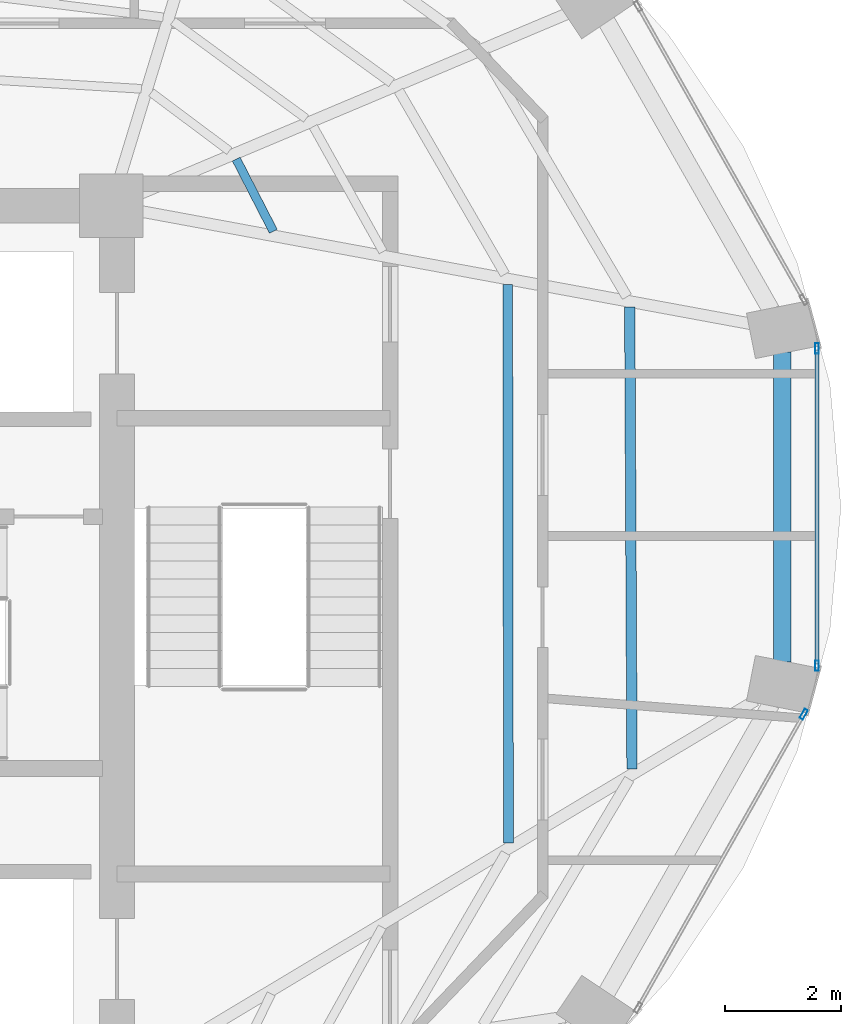
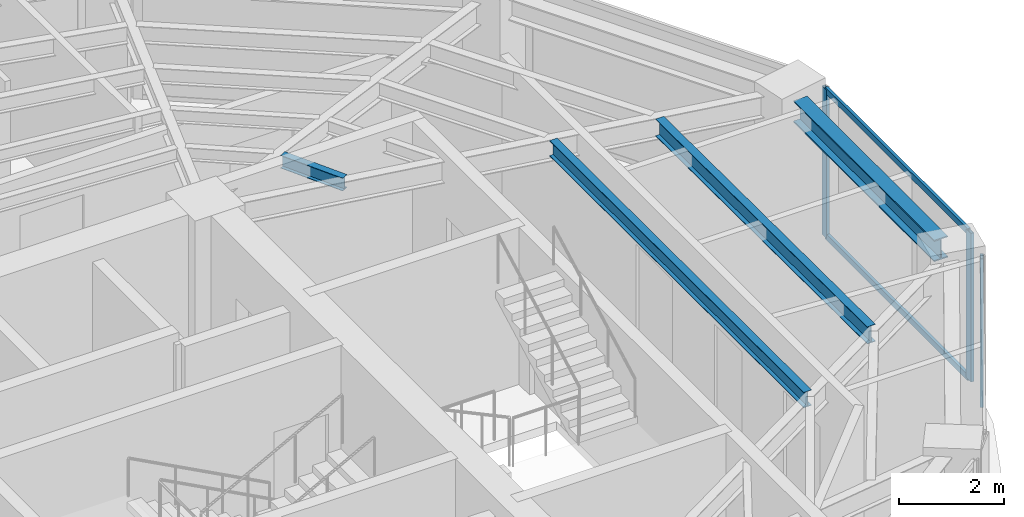
# One storey, part 14 of 23: 5 members, 4 beams, 2 elements without a shape of their own.
"""IFC4 building model written with IfcOpenShell, lengths in metres."""

from ifc_helpers import new_model, si_unit, direction, frame, origin, origin_2d, place, context, subcontext, project, spatial, hollow_rectangle, i_section, extrude, material, layer, layer_set, material_profile, profile_set, type_object, element, aggregate, save


model = new_model("IFC4")

# Units and contexts
model_context = context("Model", 3, precision=1e-05, world=origin(), true_north=direction((0.0, 1.0)))
body_context = subcontext(model_context, "Body", "Model", "MODEL_VIEW")
ifc_project = project(units=[si_unit("LENGTHUNIT", "METRE"), si_unit("AREAUNIT", "SQUARE_METRE"), si_unit("VOLUMEUNIT", "CUBIC_METRE"), si_unit("PLANEANGLEUNIT", "RADIAN"), si_unit("MASSUNIT", "GRAM", prefix="KILO")], contexts=[model_context])

# Site, building, storey
site_placement = place(None, origin())
site = spatial("IfcSite", under=ifc_project, at=site_placement, CompositionType="ELEMENT")
building_placement = place(site_placement, origin())
building = spatial("IfcBuilding", under=site, at=building_placement, Name="Lazwardi Medical Tower", CompositionType="ELEMENT")
storey_placement = place(building_placement, frame((0.0, 0.0, 198.47998046875)))
storey = spatial("IfcBuildingStorey", under=building, at=storey_placement, Name="L51", CompositionType="ELEMENT", Elevation=198.47998046875)

# Beams
ifc_material_1 = material(Name="Steel S355", Category="steel")
ifc_material_profile_1 = material_profile(ifc_material_1, i_section(OverallWidth=0.300048828125, OverallDepth=0.5, WebThickness=0.014404296875, FlangeThickness=0.028076171875, at=origin_2d()), Name="HEB 500")
ifc_profile_set_1 = profile_set([ifc_material_profile_1], Name="Steel S355")
beam_type_1 = type_object("IfcBeamType", Name="BM-RB-Z4", PredefinedType="BEAM", material=ifc_profile_set_1)
beam_1_placement = place(storey_placement, frame((57.18505859375, 27.72705078125, 3.197998046875), z_axis=(0.0, 1.0, 0.0), x_axis=(-1.0, 0.0, 0.0)))
element("IfcBeam", 1, at=beam_1_placement, inside=storey, type_object=beam_type_1, Name="Ring beam RB-05 B04 L51", PredefinedType="BEAM", context=body_context, shape_type="SweptSolid", body=[
    extrude(i_section(OverallWidth=0.300048828125, OverallDepth=0.5, WebThickness=0.014404296875, FlangeThickness=0.028076171875, at=origin_2d()), origin(), (0.0, 0.0, 1.0), 5.345947265625),
])
ifc_material_profile_2 = material_profile(ifc_material_1, i_section(OverallWidth=0.179931640625, OverallDepth=0.39990234375, WebThickness=0.008544921875, FlangeThickness=0.013427734375, at=origin_2d()), Name="IPE 400")
ifc_profile_set_2 = profile_set([ifc_material_profile_2], Name="Steel S355")
beam_type_2 = type_object("IfcBeamType", Name="BM-SJ-01", PredefinedType="JOIST", material=ifc_profile_set_2)
beam_2_placement = place(storey_placement, frame((54.592041015625, 25.879638671875, 3.248046875), z_axis=(-0.004929366644, 0.999987850598, 0.0), x_axis=(-0.999987850598, -0.004929366644, 0.0)))
element("IfcBeam", 2, at=beam_2_placement, inside=storey, type_object=beam_type_2, Name="Secondary joist SJ-01 R1 B04 L51", PredefinedType="JOIST", context=body_context, shape_type="SweptSolid", body=[
    extrude(i_section(OverallWidth=0.179931640625, OverallDepth=0.39990234375, WebThickness=0.008544921875, FlangeThickness=0.013427734375, at=origin_2d()), origin(), (0.0, 0.0, 1.0), 7.973876953125),
])
ifc_material_profile_3 = material_profile(ifc_material_1, i_section(OverallWidth=0.169921875, OverallDepth=0.360107421875, WebThickness=0.008056640625, FlangeThickness=0.0126953125, at=origin_2d()), Name="IPE 360")
ifc_profile_set_3 = profile_set([ifc_material_profile_3], Name="Steel S355")
beam_type_3 = type_object("IfcBeamType", Name="BM-SJ-02", PredefinedType="JOIST", material=ifc_profile_set_3)
beam_3_placement = place(storey_placement, frame((52.458984375, 24.602294921875, 3.26806640625), z_axis=(-0.001367606673, 0.999999064826, 0.0), x_axis=(-0.999999064826, -0.001367606673, 0.0)))
element("IfcBeam", 3, at=beam_3_placement, inside=storey, type_object=beam_type_3, Name="Secondary joist SJ-02 R2 B04 L51", PredefinedType="JOIST", context=body_context, shape_type="SweptSolid", body=[
    extrude(i_section(OverallWidth=0.169921875, OverallDepth=0.360107421875, WebThickness=0.008056640625, FlangeThickness=0.0126953125, at=origin_2d()), origin(), (0.0, 0.0, 1.0), 9.639892578125),
])
ifc_material_profile_4 = material_profile(ifc_material_1, i_section(OverallWidth=0.14990234375, OverallDepth=0.300048828125, WebThickness=0.007080078125, FlangeThickness=0.0107421875, at=origin_2d()), Name="IPE 300")
ifc_profile_set_4 = profile_set([ifc_material_profile_4], Name="Steel S355")
beam_type_4 = type_object("IfcBeamType", Name="BM-SJ-03", PredefinedType="JOIST", material=ifc_profile_set_4)
beam_4_placement = place(storey_placement, frame((48.39990234375, 35.159912109375, 3.298095703125), z_axis=(-0.457285056668, 0.889320176848, 0.0), x_axis=(-0.889320176848, -0.457285056668, 0.0)))
element("IfcBeam", 4, at=beam_4_placement, inside=storey, type_object=beam_type_4, Name="Secondary joist SJ-03 R4 B05 L51", PredefinedType="JOIST", context=body_context, shape_type="SweptSolid", body=[
    extrude(i_section(OverallWidth=0.14990234375, OverallDepth=0.300048828125, WebThickness=0.007080078125, FlangeThickness=0.0107421875, at=origin_2d()), origin(), (0.0, 0.0, 1.0), 1.402099609375),
])

# Curtain wall, member
ifc_material_2 = material(Name="Anodised bronze aluminium and solar control glazing", Category="aluminium")
ifc_layer = layer(ifc_material_2, 0.18994140625)
ifc_layer_set = layer_set([ifc_layer], Name="Anodised bronze aluminium and solar control glazing")
curtain_wall_type = type_object("IfcCurtainWallType", Name="CW-SYS-04", PredefinedType="NOTDEFINED", material=ifc_layer_set)
curtain_wall_1_placement = place(storey_placement, origin())
curtain_wall_1 = element("IfcCurtainWall", 5, at=curtain_wall_1_placement, inside=storey, type_object=curtain_wall_type, Name="L51 Unitised bronze curtain wall CW-04", PredefinedType="NOTDEFINED")
ifc_material_3 = material(Name="Anodised bronze aluminium", Category="aluminium")
ifc_material_profile_5 = material_profile(ifc_material_3, hollow_rectangle(XDim=0.06494140625, YDim=0.179931640625, WallThickness=0.00390625, at=origin_2d()), Name="ALU-MULLION 180x65x4")
ifc_profile_set_5 = profile_set([ifc_material_profile_5], Name="Anodised bronze aluminium")
member_type_1 = type_object("IfcMemberType", Name="CW-MUL-03", PredefinedType="MULLION", material=ifc_profile_set_5)
member_1_placement = place(storey_placement, frame((57.557373046875, 26.82177734375, 0.0), z_axis=(0.0, 0.0, 1.0), x_axis=(-0.870651436011, 0.491900474661, 0.0)))
member_1 = element("IfcMember", 6, at=member_1_placement, type_object=member_type_1, Name="CW-04 mullion 2", PredefinedType="MULLION", context=body_context, shape_type="SweptSolid", body=[
    extrude(hollow_rectangle(XDim=0.06494140625, YDim=0.179931640625, WallThickness=0.00390625, at=origin_2d()), origin(), (0.0, 0.0, 1.0), 3.447998046875),
])
aggregate(curtain_wall_1, [member_1])

# Curtain wall, members
curtain_wall_2_placement = place(storey_placement, origin())
curtain_wall_2 = element("IfcCurtainWall", 7, at=curtain_wall_2_placement, inside=storey, type_object=curtain_wall_type, Name="L51 Unitised bronze curtain wall CW-04", PredefinedType="NOTDEFINED")
member_2_placement = place(storey_placement, frame((57.7841796875, 27.659423828125, 0.0), z_axis=(0.0, 0.0, 1.0), x_axis=(-1.0, 0.0, 0.0)))
member_2 = element("IfcMember", 8, at=member_2_placement, type_object=member_type_1, Name="CW-04 mullion 1", PredefinedType="MULLION", context=body_context, shape_type="SweptSolid", body=[
    extrude(hollow_rectangle(XDim=0.06494140625, YDim=0.179931640625, WallThickness=0.00390625, at=origin_2d()), origin(), (0.0, 0.0, 1.0), 3.447998046875),
])
member_3_placement = place(storey_placement, frame((57.7841796875, 33.140380859375, 0.0), z_axis=(0.0, 0.0, 1.0), x_axis=(-1.0, 0.0, 0.0)))
member_3 = element("IfcMember", 9, at=member_3_placement, type_object=member_type_1, Name="CW-04 mullion 2", PredefinedType="MULLION", context=body_context, shape_type="SweptSolid", body=[
    extrude(hollow_rectangle(XDim=0.06494140625, YDim=0.179931640625, WallThickness=0.00390625, at=origin_2d()), origin(), (0.0, 0.0, 1.0), 3.447998046875),
])
ifc_material_profile_6 = material_profile(ifc_material_3, hollow_rectangle(XDim=0.06494140625, YDim=0.139892578125, WallThickness=0.00341796875, at=origin_2d()), Name="ALU-TRANSOM 140x65x3.5")
ifc_profile_set_6 = profile_set([ifc_material_profile_6], Name="Anodised bronze aluminium")
member_type_2 = type_object("IfcMemberType", Name="CW-TRN-03", PredefinedType="USERDEFINED", material=ifc_profile_set_6)
member_4_placement = place(storey_placement, frame((57.7841796875, 27.69189453125, 0.032470703125), z_axis=(0.0, 1.0, 0.0), x_axis=(-1.0, 0.0, 0.0)))
member_4 = element("IfcMember", 10, at=member_4_placement, type_object=member_type_2, Name="CW-04 transom 1.1", ObjectType="TRANSOM", PredefinedType="USERDEFINED", context=body_context, shape_type="SweptSolid", body=[
    extrude(hollow_rectangle(XDim=0.06494140625, YDim=0.139892578125, WallThickness=0.00341796875, at=origin_2d()), origin(), (0.0, 0.0, 1.0), 5.416015625),
])
member_5_placement = place(storey_placement, frame((57.7841796875, 27.69189453125, 3.41552734375), z_axis=(0.0, 1.0, 0.0), x_axis=(-1.0, 0.0, 0.0)))
member_5 = element("IfcMember", 11, at=member_5_placement, type_object=member_type_2, Name="CW-04 transom 1.2", ObjectType="TRANSOM", PredefinedType="USERDEFINED", context=body_context, shape_type="SweptSolid", body=[
    extrude(hollow_rectangle(XDim=0.06494140625, YDim=0.139892578125, WallThickness=0.00341796875, at=origin_2d()), origin(), (0.0, 0.0, 1.0), 5.416015625),
])
aggregate(curtain_wall_2, [member_2, member_3, member_4, member_5])

save(model, "model.ifc")
